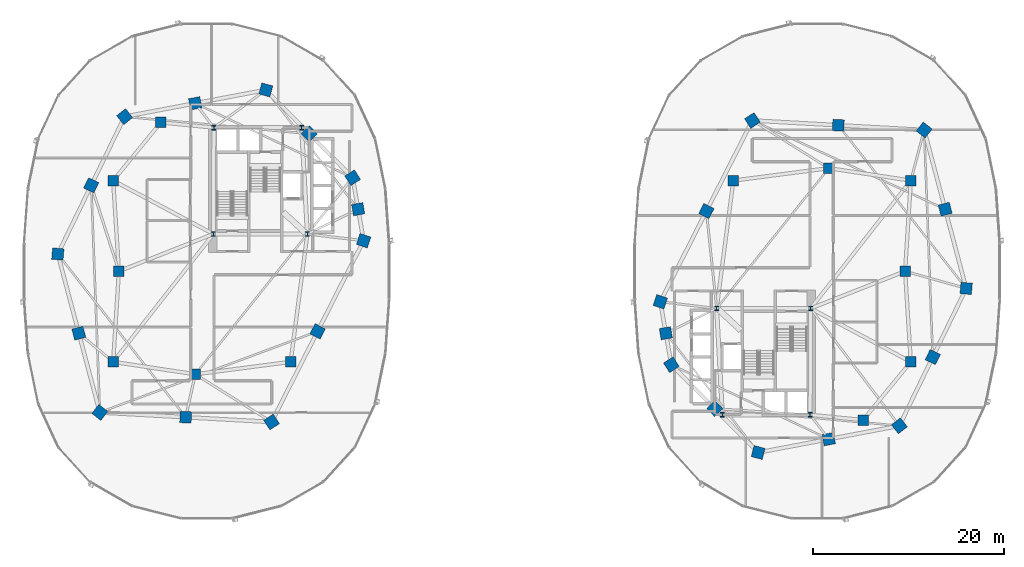
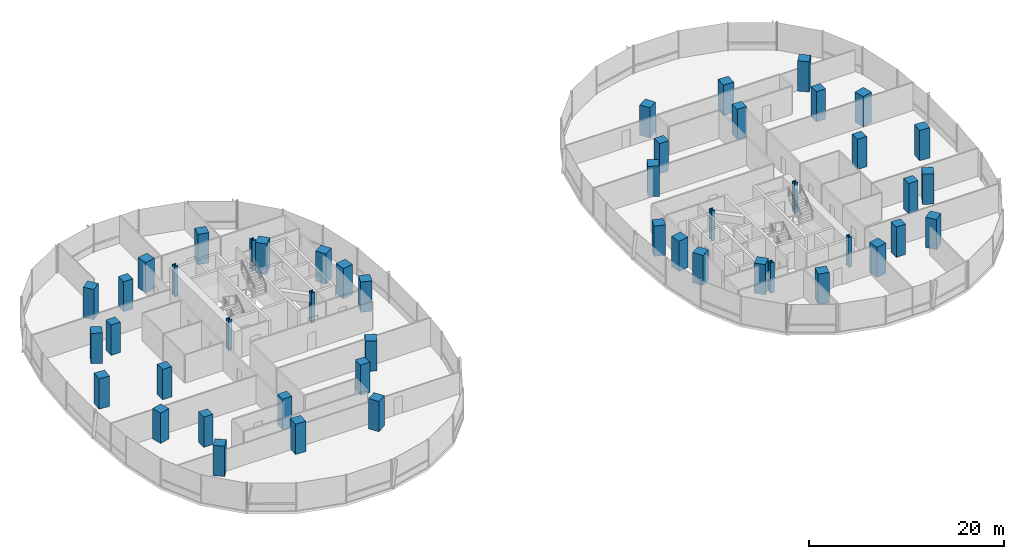
# One storey, part 1 of 21: 48 columns.
"""IFC4 building model written with IfcOpenShell, lengths in metres."""

from ifc_helpers import new_model, si_unit, direction, frame, origin, origin_2d, place, context, subcontext, project, spatial, rectangle, i_section, extrude, material, material_profile, profile_set, type_object, element, save


model = new_model("IFC4")

# Units and contexts
model_context = context("Model", 3, precision=1e-05, world=origin(), true_north=direction((0.0, 1.0)))
body_context = subcontext(model_context, "Body", "Model", "MODEL_VIEW")
ifc_project = project(units=[si_unit("LENGTHUNIT", "METRE"), si_unit("AREAUNIT", "SQUARE_METRE"), si_unit("VOLUMEUNIT", "CUBIC_METRE"), si_unit("PLANEANGLEUNIT", "RADIAN"), si_unit("MASSUNIT", "GRAM", prefix="KILO"), si_unit("THERMODYNAMICTEMPERATUREUNIT", "KELVIN"), si_unit("POWERUNIT", "WATT")], contexts=[model_context])

# Site, building, storey
site_placement = place(None, origin())
site = spatial("IfcSite", under=ifc_project, at=site_placement, CompositionType="ELEMENT")
building_placement = place(site_placement, origin())
building = spatial("IfcBuilding", under=site, at=building_placement, Name="Cundina Bronze Exchange", CompositionType="ELEMENT")
storey_placement = place(building_placement, frame((0.0, 0.0, 65.800048828125)))
storey = spatial("IfcBuildingStorey", under=building, at=storey_placement, Name="L16", CompositionType="ELEMENT", Elevation=65.800048828125)

# Columns
ifc_material_1 = material(Name="Steel ASTM A992 Grade 50", Category="steel")
ifc_material_profile_1 = material_profile(ifc_material_1, i_section(OverallWidth=0.431884765625, OverallDepth=0.498046875, WebThickness=0.0556640625, FlangeThickness=0.0888671875, FilletRadius=0.01806640625, at=origin_2d()), Name="W14X500", Category="steel")
ifc_profile_set_1 = profile_set([ifc_material_profile_1], Name="Steel ASTM A992 Grade 50")
column_type_1 = type_object("IfcColumnType", Name="COL-STL-W14A", PredefinedType="COLUMN", material=ifc_profile_set_1)
for number, where, z_axis, x_axis, name in (
    (1, (-31.300048828125, 3.89990234375, 0.0), (0.0, 0.0, 1.0), (1.0, 0.0, 0.0), "L16 Core Anchor Column W1"),
    (2, (-21.449951171875, 3.89990234375, 0.0), (0.0, 0.0, 1.0), (1.0, 0.0, 0.0), "L16 Core Anchor Column W2"),
    (3, (-22.050048828125, 15.050048828125, 0.0), (0.0, 0.0, 1.0), (1.0, 0.0, 0.0), "L16 Core Anchor Column W3"),
    (4, (-31.25, 15.050048828125, 0.0), (0.0, 0.0, 1.0), (1.0, 0.0, 0.0), "L16 Core Anchor Column W4"),
    (5, (31.300048828125, -3.89990234375, 0.0), (0.0, 0.0, 1.0), (1.0, 0.0, 0.0), "L16 Core Anchor Column E1"),
    (6, (21.449951171875, -3.89990234375, 0.0), (0.0, 0.0, 1.0), (1.0, 0.0, 0.0), "L16 Core Anchor Column E2"),
    (7, (22.050048828125, -15.050048828125, 0.0), (0.0, 0.0, 1.0), (1.0, 0.0, 0.0), "L16 Core Anchor Column E3"),
    (8, (31.25, -15.050048828125, 0.0), (0.0, 0.0, 1.0), (1.0, 0.0, 0.0), "L16 Core Anchor Column E4"),
):
    element("IfcColumn", number, at=place(storey_placement, frame(where, z_axis=z_axis, x_axis=x_axis)), inside=storey, type_object=column_type_1, Name=name, PredefinedType="COLUMN", context=body_context, shape_type="SweptSolid", body=[
        extrude(i_section(OverallWidth=0.431884765625, OverallDepth=0.498046875, WebThickness=0.0556640625, FlangeThickness=0.0888671875, FilletRadius=0.01806640625, at=origin_2d()), origin(), (0.0, 0.0, 1.0), 3.800048828125),
    ])
ifc_material_2 = material(Name="Concrete C60/75", Category="concrete")
ifc_material_profile_2 = material_profile(ifc_material_2, rectangle(XDim=1.199951171875, YDim=1.199951171875, at=origin_2d()), Name="RC1200X1200", Category="concrete")
ifc_profile_set_2 = profile_set([ifc_material_profile_2], Name="Concrete C60/75")
column_type_2 = type_object("IfcColumnType", Name="COL-Z1-1200", PredefinedType="COLUMN", material=ifc_profile_set_2)
for number, where, z_axis, x_axis, name in (
    (9, (-15.550048828125, 3.199951171875, 0.0), (0.0, 0.0, 1.0), (0.315152163383, 0.949041155016, 0.0), "L16 W Perimeter Column 00"),
    (10, (-16.125, 6.5, 0.0), (0.0, 0.0, 1.0), (-0.171585221787, 0.985169280715, 0.0), "L16 W Perimeter Column 01"),
    (11, (-16.699951171875, 9.800048828125, 0.0), (0.0, 0.0, 1.0), (-0.544199833495, 0.838955625301, 0.0), "L16 W Perimeter Column 02"),
    (12, (-21.25, 14.39990234375, 0.0), (0.0, 0.0, 1.0), (-0.703270634186, 0.710922228581, 0.0), "L16 W Perimeter Column 03"),
    (13, (-25.800048828125, 19.0, 0.0), (0.0, 0.0, 1.0), (-0.965970984022, 0.258650455301, 0.0), "L16 W Perimeter Column 04"),
    (14, (-33.199951171875, 17.60009765625, 0.0), (0.0, 0.0, 1.0), (-0.98258037664, -0.185838110843, 0.0), "L16 W Perimeter Column 05"),
    (15, (-40.60009765625, 16.199951171875, 0.0), (0.0, 0.0, 1.0), (-0.785100778485, -0.619368038909, 0.0), "L16 W Perimeter Column 06"),
    (16, (-44.10009765625, 9.0, 0.0), (0.0, 0.0, 1.0), (-0.437115766651, -0.899405251566, 0.0), "L16 W Perimeter Column 07"),
    (17, (-47.60009765625, 1.800048828125, 0.0), (0.0, 0.0, 1.0), (-0.083503921245, -0.996507448611, 0.0), "L16 W Perimeter Column 08"),
    (18, (-45.39990234375, -6.5, 0.0), (0.0, 0.0, 1.0), (0.256289373133, -0.966600102017, 0.0), "L16 W Perimeter Column 09"),
    (19, (-43.199951171875, -14.800048828125, 0.0), (0.0, 0.0, 1.0), (0.786288432137, -0.61785961309, 0.0), "L16 W Perimeter Column 10"),
    (20, (-34.199951171875, -15.300048828125, 0.0), (0.0, 0.0, 1.0), (0.998460188734, -0.055472980025, 0.0), "L16 W Perimeter Column 11"),
    (21, (-25.199951171875, -15.800048828125, 0.0), (0.0, 0.0, 1.0), (0.838099763533, 0.545516989988, 0.0), "L16 W Perimeter Column 12"),
    (22, (-20.375, -6.300048828125, 0.0), (0.0, 0.0, 1.0), (0.452901591366, 0.891560513111, 0.0), "L16 W Perimeter Column 13"),
    (23, (15.550048828125, -3.199951171875, 0.0), (0.0, 0.0, 1.0), (-0.315152163383, -0.949041155016, 0.0), "L16 E Perimeter Column 00"),
    (24, (16.125, -6.5, 0.0), (0.0, 0.0, 1.0), (0.171585221787, -0.985169280715, 0.0), "L16 E Perimeter Column 01"),
    (25, (16.699951171875, -9.800048828125, 0.0), (0.0, 0.0, 1.0), (0.544199833495, -0.838955625301, 0.0), "L16 E Perimeter Column 02"),
    (26, (21.25, -14.39990234375, 0.0), (0.0, 0.0, 1.0), (0.703270634186, -0.710922228581, 0.0), "L16 E Perimeter Column 03"),
    (27, (25.800048828125, -19.0, 0.0), (0.0, 0.0, 1.0), (0.965970984022, -0.258650455301, 0.0), "L16 E Perimeter Column 04"),
    (28, (33.199951171875, -17.60009765625, 0.0), (0.0, 0.0, 1.0), (0.98258037664, 0.185838110843, 0.0), "L16 E Perimeter Column 05"),
    (29, (40.60009765625, -16.199951171875, 0.0), (0.0, 0.0, 1.0), (0.785100778485, 0.619368038909, 0.0), "L16 E Perimeter Column 06"),
    (30, (44.10009765625, -9.0, 0.0), (0.0, 0.0, 1.0), (0.437115766651, 0.899405251566, 0.0), "L16 E Perimeter Column 07"),
    (31, (47.60009765625, -1.800048828125, 0.0), (0.0, 0.0, 1.0), (0.083503921245, 0.996507448611, 0.0), "L16 E Perimeter Column 08"),
    (32, (45.39990234375, 6.5, 0.0), (0.0, 0.0, 1.0), (-0.256289373133, 0.966600102017, 0.0), "L16 E Perimeter Column 09"),
    (33, (43.199951171875, 14.800048828125, 0.0), (0.0, 0.0, 1.0), (-0.786288432137, 0.61785961309, 0.0), "L16 E Perimeter Column 10"),
    (34, (34.199951171875, 15.300048828125, 0.0), (0.0, 0.0, 1.0), (-0.998460188734, 0.055472980025, 0.0), "L16 E Perimeter Column 11"),
    (35, (25.199951171875, 15.800048828125, 0.0), (0.0, 0.0, 1.0), (-0.838099763533, -0.545516989988, 0.0), "L16 E Perimeter Column 12"),
    (36, (20.375, 6.300048828125, 0.0), (0.0, 0.0, 1.0), (-0.452901591366, -0.891560513111, 0.0), "L16 E Perimeter Column 13"),
):
    element("IfcColumn", number, at=place(storey_placement, frame(where, z_axis=z_axis, x_axis=x_axis)), inside=storey, type_object=column_type_2, Name=name, PredefinedType="COLUMN", context=body_context, shape_type="SweptSolid", body=[
        extrude(rectangle(XDim=1.199951171875, YDim=1.199951171875, at=origin_2d()), origin(), (0.0, 0.0, 1.0), 3.800048828125),
    ])
ifc_material_profile_3 = material_profile(ifc_material_2, rectangle(XDim=1.10009765625, YDim=1.10009765625, at=origin_2d()), Name="RC1100X1100", Category="concrete")
ifc_profile_set_3 = profile_set([ifc_material_profile_3], Name="Concrete C60/75")
column_type_3 = type_object("IfcColumnType", Name="COL-Z2-1100", PredefinedType="COLUMN", material=ifc_profile_set_3)
for number, where, z_axis, x_axis, name in (
    (37, (-41.199951171875, 0.0, 0.0), (0.0, 0.0, 1.0), (1.0, 0.0, 0.0), "L16 W Inner Ring Column 1"),
    (38, (-41.800048828125, 9.5, 0.0), (0.0, 0.0, 1.0), (1.0, 0.0, 0.0), "L16 W Inner Ring Column 2"),
    (39, (-36.800048828125, 15.60009765625, 0.0), (0.0, 0.0, 1.0), (1.0, 0.0, 0.0), "L16 W Inner Ring Column 3"),
    (40, (-41.800048828125, -9.5, 0.0), (0.0, 0.0, 1.0), (1.0, 0.0, 0.0), "L16 W Inner Ring Column 4"),
    (41, (-33.199951171875, -10.800048828125, 0.0), (0.0, 0.0, 1.0), (1.0, 0.0, 0.0), "L16 W Inner Ring Column 5"),
    (42, (-23.199951171875, -9.5, 0.0), (0.0, 0.0, 1.0), (1.0, 0.0, 0.0), "L16 W Inner Ring Column 6"),
    (43, (41.199951171875, 0.0, 0.0), (0.0, 0.0, 1.0), (1.0, 0.0, 0.0), "L16 E Inner Ring Column 1"),
    (44, (41.800048828125, -9.5, 0.0), (0.0, 0.0, 1.0), (1.0, 0.0, 0.0), "L16 E Inner Ring Column 2"),
    (45, (36.800048828125, -15.60009765625, 0.0), (0.0, 0.0, 1.0), (1.0, 0.0, 0.0), "L16 E Inner Ring Column 3"),
    (46, (41.800048828125, 9.5, 0.0), (0.0, 0.0, 1.0), (1.0, 0.0, 0.0), "L16 E Inner Ring Column 4"),
    (47, (33.199951171875, 10.800048828125, 0.0), (0.0, 0.0, 1.0), (1.0, 0.0, 0.0), "L16 E Inner Ring Column 5"),
    (48, (23.199951171875, 9.5, 0.0), (0.0, 0.0, 1.0), (1.0, 0.0, 0.0), "L16 E Inner Ring Column 6"),
):
    element("IfcColumn", number, at=place(storey_placement, frame(where, z_axis=z_axis, x_axis=x_axis)), inside=storey, type_object=column_type_3, Name=name, PredefinedType="COLUMN", context=body_context, shape_type="SweptSolid", body=[
        extrude(rectangle(XDim=1.10009765625, YDim=1.10009765625, at=origin_2d()), origin(), (0.0, 0.0, 1.0), 3.800048828125),
    ])

save(model, "model.ifc")
